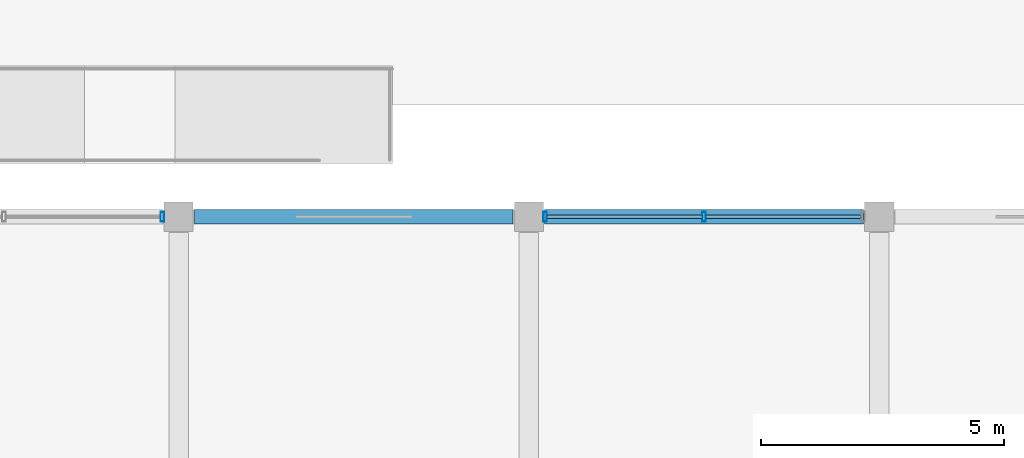
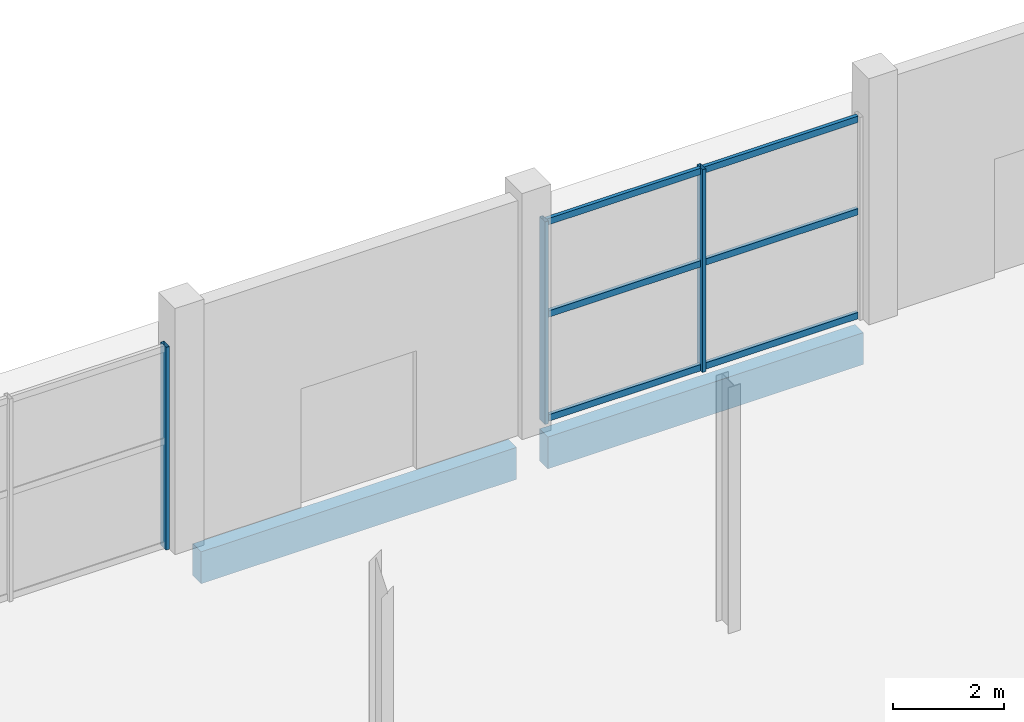
# One storey, part 22 of 90: 9 members, 2 beams, 2 elements without a shape of their own.
"""IFC4 building model written with IfcOpenShell, lengths in metres."""

from ifc_helpers import new_model, si_unit, direction, frame, origin, origin_2d, place, context, subcontext, project, spatial, rectangle, hollow_rectangle, extrude, material, layer, layer_set, material_profile, profile_set, type_object, element, aggregate, save


model = new_model("IFC4")

# Units and contexts
model_context = context("Model", 3, precision=1e-05, world=origin(), true_north=direction((0.0, 1.0)))
body_context = subcontext(model_context, "Body", "Model", "MODEL_VIEW")
ifc_project = project(units=[si_unit("LENGTHUNIT", "METRE"), si_unit("AREAUNIT", "SQUARE_METRE"), si_unit("VOLUMEUNIT", "CUBIC_METRE"), si_unit("PLANEANGLEUNIT", "RADIAN"), si_unit("MASSUNIT", "GRAM", prefix="KILO")], contexts=[model_context])

# Site, building, storey
site_placement = place(None, origin())
site = spatial("IfcSite", under=ifc_project, at=site_placement, CompositionType="ELEMENT")
building_placement = place(site_placement, origin())
building = spatial("IfcBuilding", under=site, at=building_placement, Name="Kangsadwip Square Police Headquarters", CompositionType="ELEMENT")
storey_placement = place(building_placement, origin())
storey = spatial("IfcBuildingStorey", under=building, at=storey_placement, Name="L00", CompositionType="ELEMENT", Elevation=0.0)

# Curtain wall, member
ifc_material_1 = material(Name="Thermally broken anodised aluminium AW-6063-T6", Category="aluminium")
ifc_layer_1 = layer(ifc_material_1, 0.159912109375)
ifc_layer_set_1 = layer_set([ifc_layer_1], Name="Thermally broken anodised aluminium AW-6063-T6")
curtain_wall_type_1 = type_object("IfcCurtainWallType", Name="UnitisedCw6585x4450", PredefinedType="NOTDEFINED", material=ifc_layer_set_1)
curtain_wall_1_placement = place(storey_placement, origin())
curtain_wall_1 = element("IfcCurtainWall", 1, at=curtain_wall_1_placement, inside=storey, type_object=curtain_wall_type_1, Name="Curtain Wall CW-L00-0435-1152", PredefinedType="NOTDEFINED")
ifc_material_2 = material(Name="Thermally broken anodised aluminium AW-6063-T6", Category="aluminium")
ifc_material_profile_1 = material_profile(ifc_material_2, hollow_rectangle(XDim=0.074951171875, YDim=0.199951171875, WallThickness=0.0048828125, at=origin_2d()), Name="CWM 200X75X5")
ifc_profile_set_1 = profile_set([ifc_material_profile_1], Name="Thermally broken anodised aluminium AW-6063-T6")
member_type_1 = type_object("IfcMemberType", Name="CwMullion180x75", PredefinedType="MULLION", material=ifc_profile_set_1)
member_1_placement = place(storey_placement, frame((50.0673828125, 115.199951171875, 0.0), z_axis=(0.0, 0.0, 1.0), x_axis=(1.0, 0.0, 0.0)))
member_1 = element("IfcMember", 2, at=member_1_placement, type_object=member_type_1, Name="CW-07 mullion 3", PredefinedType="MULLION", context=body_context, shape_type="SweptSolid", body=[
    extrude(hollow_rectangle(XDim=0.074951171875, YDim=0.199951171875, WallThickness=0.0048828125, at=origin_2d()), origin(), (0.0, 0.0, 1.0), 4.449951171875),
])
aggregate(curtain_wall_1, [member_1])

# Curtain wall, members
ifc_material_3 = material(Name="Thermally broken anodised aluminium AW-6063-T6", Category="aluminium")
ifc_layer_2 = layer(ifc_material_3, 0.159912109375)
ifc_layer_set_2 = layer_set([ifc_layer_2], Name="Thermally broken anodised aluminium AW-6063-T6")
curtain_wall_type_2 = type_object("IfcCurtainWallType", Name="UnitisedCw6610x4450", PredefinedType="NOTDEFINED", material=ifc_layer_set_2)
curtain_wall_2_placement = place(storey_placement, origin())
curtain_wall_2 = element("IfcCurtainWall", 3, at=curtain_wall_2_placement, inside=storey, type_object=curtain_wall_type_2, Name="Curtain Wall CW-L00-0579-1152", PredefinedType="NOTDEFINED")
member_2_placement = place(storey_placement, frame((57.9326171875, 115.199951171875, 0.0), z_axis=(0.0, 0.0, 1.0), x_axis=(1.0, 0.0, 0.0)))
member_2 = element("IfcMember", 4, at=member_2_placement, type_object=member_type_1, Name="CW-08 mullion 1", PredefinedType="MULLION", context=body_context, shape_type="SweptSolid", body=[
    extrude(hollow_rectangle(XDim=0.074951171875, YDim=0.199951171875, WallThickness=0.0048828125, at=origin_2d()), origin(), (0.0, 0.0, 1.0), 4.449951171875),
])
member_3_placement = place(storey_placement, frame((61.199951171875, 115.199951171875, 0.0), z_axis=(0.0, 0.0, 1.0), x_axis=(1.0, 0.0, 0.0)))
member_3 = element("IfcMember", 5, at=member_3_placement, type_object=member_type_1, Name="CW-08 mullion 2", PredefinedType="MULLION", context=body_context, shape_type="SweptSolid", body=[
    extrude(hollow_rectangle(XDim=0.074951171875, YDim=0.199951171875, WallThickness=0.0048828125, at=origin_2d()), origin(), (0.0, 0.0, 1.0), 4.449951171875),
])
ifc_material_4 = material(Name="Thermally broken anodised aluminium AW-6063-T6", Category="aluminium")
ifc_material_profile_2 = material_profile(ifc_material_4, hollow_rectangle(XDim=0.074951171875, YDim=0.139892578125, WallThickness=0.0048828125, at=origin_2d()), Name="CWT 140X75X5")
ifc_profile_set_2 = profile_set([ifc_material_profile_2], Name="Thermally broken anodised aluminium AW-6063-T6")
member_type_2 = type_object("IfcMemberType", Name="CwTransom160x65", PredefinedType="USERDEFINED", material=ifc_profile_set_2)
member_4_placement = place(storey_placement, frame((57.969970703125, 115.199951171875, 0.070068359375), z_axis=(1.0, 0.0, 0.0), x_axis=(0.0, 1.0, 0.0)))
member_4 = element("IfcMember", 6, at=member_4_placement, type_object=member_type_2, Name="CW-08 transom 1.1", ObjectType="TRANSOM", PredefinedType="USERDEFINED", context=body_context, shape_type="SweptSolid", body=[
    extrude(hollow_rectangle(XDim=0.074951171875, YDim=0.139892578125, WallThickness=0.0048828125, at=origin_2d()), origin(), (0.0, 0.0, 1.0), 3.192626953125),
])
member_5_placement = place(storey_placement, frame((57.969970703125, 115.199951171875, 2.35009765625), z_axis=(1.0, 0.0, 0.0), x_axis=(0.0, 1.0, 0.0)))
member_5 = element("IfcMember", 7, at=member_5_placement, type_object=member_type_2, Name="CW-08 transom 1.2", ObjectType="TRANSOM", PredefinedType="USERDEFINED", context=body_context, shape_type="SweptSolid", body=[
    extrude(hollow_rectangle(XDim=0.074951171875, YDim=0.139892578125, WallThickness=0.0048828125, at=origin_2d()), origin(), (0.0, 0.0, 1.0), 3.192626953125),
])
member_6_placement = place(storey_placement, frame((57.969970703125, 115.199951171875, 4.3798828125), z_axis=(1.0, 0.0, 0.0), x_axis=(0.0, 1.0, 0.0)))
member_6 = element("IfcMember", 8, at=member_6_placement, type_object=member_type_2, Name="CW-08 transom 1.3", ObjectType="TRANSOM", PredefinedType="USERDEFINED", context=body_context, shape_type="SweptSolid", body=[
    extrude(hollow_rectangle(XDim=0.074951171875, YDim=0.139892578125, WallThickness=0.0048828125, at=origin_2d()), origin(), (0.0, 0.0, 1.0), 3.192626953125),
])
member_7_placement = place(storey_placement, frame((61.237548828125, 115.199951171875, 0.070068359375), z_axis=(1.0, 0.0, 0.0), x_axis=(0.0, 1.0, 0.0)))
member_7 = element("IfcMember", 9, at=member_7_placement, type_object=member_type_2, Name="CW-08 transom 2.1", ObjectType="TRANSOM", PredefinedType="USERDEFINED", context=body_context, shape_type="SweptSolid", body=[
    extrude(hollow_rectangle(XDim=0.074951171875, YDim=0.139892578125, WallThickness=0.0048828125, at=origin_2d()), origin(), (0.0, 0.0, 1.0), 3.1923828125),
])
member_8_placement = place(storey_placement, frame((61.237548828125, 115.199951171875, 2.35009765625), z_axis=(1.0, 0.0, 0.0), x_axis=(0.0, 1.0, 0.0)))
member_8 = element("IfcMember", 10, at=member_8_placement, type_object=member_type_2, Name="CW-08 transom 2.2", ObjectType="TRANSOM", PredefinedType="USERDEFINED", context=body_context, shape_type="SweptSolid", body=[
    extrude(hollow_rectangle(XDim=0.074951171875, YDim=0.139892578125, WallThickness=0.0048828125, at=origin_2d()), origin(), (0.0, 0.0, 1.0), 3.1923828125),
])
member_9_placement = place(storey_placement, frame((61.237548828125, 115.199951171875, 4.3798828125), z_axis=(1.0, 0.0, 0.0), x_axis=(0.0, 1.0, 0.0)))
member_9 = element("IfcMember", 11, at=member_9_placement, type_object=member_type_2, Name="CW-08 transom 2.3", ObjectType="TRANSOM", PredefinedType="USERDEFINED", context=body_context, shape_type="SweptSolid", body=[
    extrude(hollow_rectangle(XDim=0.074951171875, YDim=0.139892578125, WallThickness=0.0048828125, at=origin_2d()), origin(), (0.0, 0.0, 1.0), 3.1923828125),
])
aggregate(curtain_wall_2, [member_2, member_3, member_4, member_5, member_6, member_7, member_8, member_9])

# Beams
ifc_material_5 = material(Name="Concrete M40 (40 MPa)", Category="concrete")
ifc_material_profile_3 = material_profile(ifc_material_5, rectangle(XDim=0.300048828125, YDim=0.699951171875, at=origin_2d()), Name="RC SPN 700X300")
ifc_profile_set_3 = profile_set([ifc_material_profile_3], Name="Concrete M40 (40 MPa)")
beam_type = type_object("IfcBeamType", Name="RcSpandrel700x300", PredefinedType="SPANDREL", material=ifc_profile_set_3)
beam_1_placement = place(storey_placement, frame((50.72509765625, 115.199951171875, -0.60009765625), z_axis=(1.0, 0.0, 0.0), x_axis=(0.0, 1.0, 0.0)))
element("IfcBeam", 12, at=beam_1_placement, inside=storey, type_object=beam_type, Name="Beam BM-L00-X-07-16", PredefinedType="SPANDREL", context=body_context, shape_type="SweptSolid", body=[
    extrude(rectangle(XDim=0.300048828125, YDim=0.699951171875, at=origin_2d()), origin(), (0.0, 0.0, 1.0), 6.5498046875),
])
beam_2_placement = place(storey_placement, frame((57.925048828125, 115.199951171875, -0.60009765625), z_axis=(1.0, 0.0, 0.0), x_axis=(0.0, 1.0, 0.0)))
element("IfcBeam", 13, at=beam_2_placement, inside=storey, type_object=beam_type, Name="Beam BM-L00-X-08-16", PredefinedType="SPANDREL", context=body_context, shape_type="SweptSolid", body=[
    extrude(rectangle(XDim=0.300048828125, YDim=0.699951171875, at=origin_2d()), origin(), (0.0, 0.0, 1.0), 6.550048828125),
])

save(model, "model.ifc")
